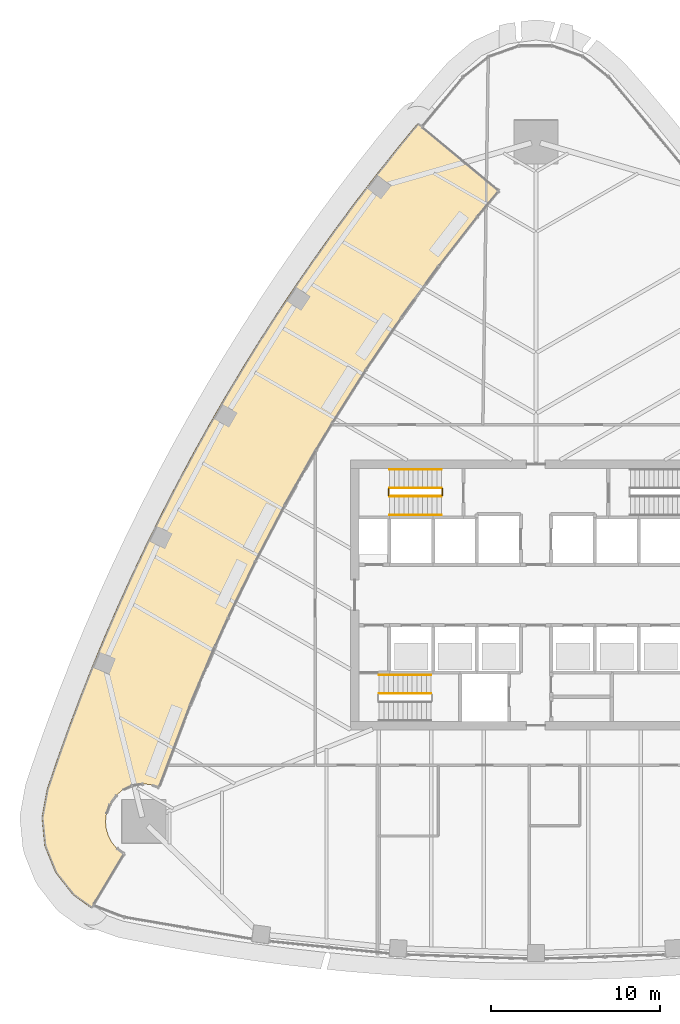
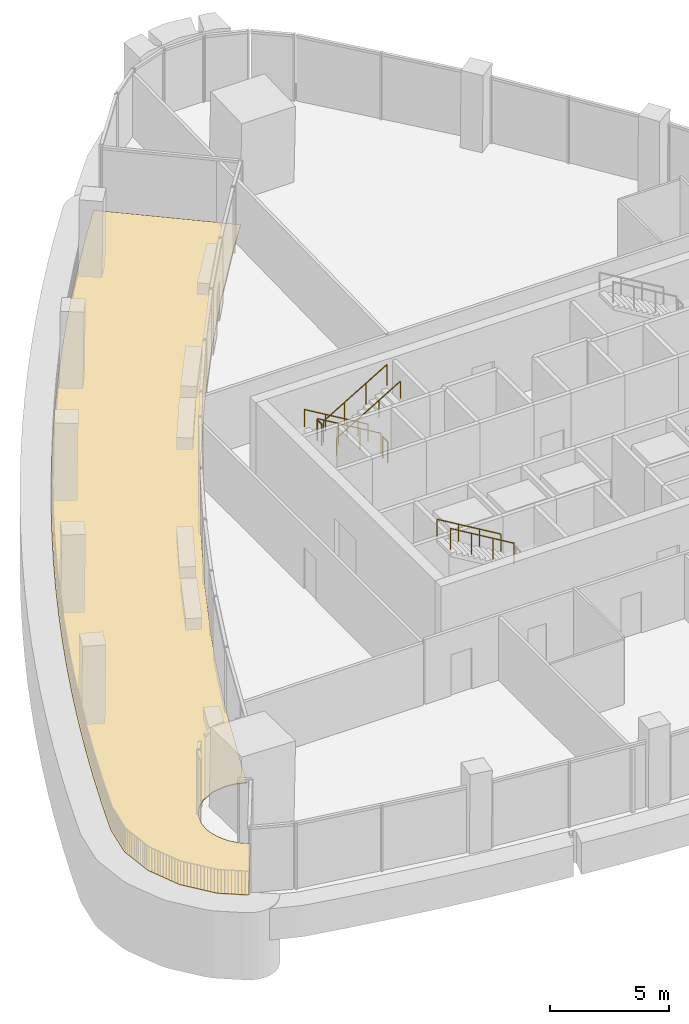
# One storey, part 15 of 18: 8 railings, 1 covering.
"""IFC4 building model written with IfcOpenShell, lengths in metres."""

from ifc_helpers import new_model, si_unit, direction, frame, origin, origin_2d, place, context, subcontext, project, spatial, polyline, circle, outline, extrude, material, layer, layer_set, type_object, element, save


model = new_model("IFC4")

# Units and contexts
model_context = context("Model", 3, precision=1e-05, world=origin(), true_north=direction((0.0, 1.0)))
body_context = subcontext(model_context, "Body", "Model", "MODEL_VIEW")
ifc_project = project(units=[si_unit("LENGTHUNIT", "METRE"), si_unit("AREAUNIT", "SQUARE_METRE"), si_unit("VOLUMEUNIT", "CUBIC_METRE"), si_unit("PLANEANGLEUNIT", "RADIAN"), si_unit("MASSUNIT", "GRAM", prefix="KILO")], contexts=[model_context])

# Site, building, storey
site_placement = place(None, origin())
site = spatial("IfcSite", under=ifc_project, at=site_placement, CompositionType="ELEMENT")
building_placement = place(site_placement, origin())
building = spatial("IfcBuilding", under=site, at=building_placement, Name="Sierra Prisma Convention Tower", CompositionType="ELEMENT")
storey_placement = place(building_placement, frame((0.0, 0.0, 189.800048828125)))
storey = spatial("IfcBuildingStorey", under=building, at=storey_placement, Name="L42", CompositionType="ELEMENT", Elevation=189.800048828125)

# Railings
ifc_material_1 = material(Name="Stainless steel", Category="steel")
railing_type_1 = type_object("IfcRailingType", Name="Exit stair handrail", PredefinedType="HANDRAIL", material=ifc_material_1)
railing_1_placement = place(storey_placement, frame((-6.219970703125, -4.75, 2.16650390625)))
element("IfcRailing", 1, at=railing_1_placement, inside=storey, type_object=railing_type_1, Name="L42 S1 stair handrail 2", PredefinedType="HANDRAIL", context=body_context, shape_type="SweptSolid", body=[
    extrude(circle(Radius=0.02392578125, at=origin_2d()), frame((0.0, 0.0, 0.8759765625), z_axis=(-0.85927862911, 0.0, 0.511507807912), x_axis=(0.0, -1.0, 0.0)), (0.0, 0.0, 1.0), 3.58447265625),
    extrude(circle(Radius=0.02099609375, at=origin_2d()), origin(), (0.0, 0.0, 1.0), 0.851806640625),
    extrude(circle(Radius=0.02099609375, at=origin_2d()), frame((-1.026611328125, 0.0, 0.611083984375)), (0.0, 0.0, 1.0), 0.851806640625),
    extrude(circle(Radius=0.02099609375, at=origin_2d()), frame((-2.053466796875, 0.0, 1.222412109375)), (0.0, 0.0, 1.0), 0.851806640625),
    extrude(circle(Radius=0.02099609375, at=origin_2d()), frame((-3.080078125, 0.0, 1.83349609375)), (0.0, 0.0, 1.0), 0.851806640625),
])
railing_2_placement = place(storey_placement, frame((-5.60009765625, 7.449951171875, 0.16650390625)))
element("IfcRailing", 2, at=railing_2_placement, inside=storey, type_object=railing_type_1, Name="L42 S3 stair handrail 1", PredefinedType="HANDRAIL", context=body_context, shape_type="SweptSolid", body=[
    extrude(circle(Radius=0.02392578125, at=origin_2d()), frame((0.0, 0.0, 0.8759765625), z_axis=(-0.859260807169, 0.0, 0.511537745687), x_axis=(0.0, -1.0, 0.0)), (0.0, 0.0, 1.0), 3.584228515625),
    extrude(circle(Radius=0.02099609375, at=origin_2d()), origin(), (0.0, 0.0, 1.0), 0.851806640625),
    extrude(circle(Radius=0.02099609375, at=origin_2d()), frame((-1.026611328125, 0.0, 0.611083984375)), (0.0, 0.0, 1.0), 0.851806640625),
    extrude(circle(Radius=0.02099609375, at=origin_2d()), frame((-2.05322265625, 0.0, 1.222412109375)), (0.0, 0.0, 1.0), 0.851806640625),
    extrude(circle(Radius=0.02099609375, at=origin_2d()), frame((-3.079833984375, 0.0, 1.83349609375)), (0.0, 0.0, 1.0), 0.851806640625),
])
railing_3_placement = place(storey_placement, frame((-8.679931640625, 4.75, 2.16650390625)))
element("IfcRailing", 3, at=railing_3_placement, inside=storey, type_object=railing_type_1, Name="L42 S3 stair handrail 2", PredefinedType="HANDRAIL", context=body_context, shape_type="SweptSolid", body=[
    extrude(circle(Radius=0.02392578125, at=origin_2d()), frame((0.0, 0.0, 0.8759765625), z_axis=(0.859260807169, 0.0, 0.511537745687), x_axis=(0.0, 1.0, 0.0)), (0.0, 0.0, 1.0), 3.584228515625),
    extrude(circle(Radius=0.02099609375, at=origin_2d()), origin(), (0.0, 0.0, 1.0), 0.851806640625),
    extrude(circle(Radius=0.02099609375, at=origin_2d()), frame((1.026611328125, 0.0, 0.611083984375)), (0.0, 0.0, 1.0), 0.851806640625),
    extrude(circle(Radius=0.02099609375, at=origin_2d()), frame((2.05322265625, 0.0, 1.222412109375)), (0.0, 0.0, 1.0), 0.851806640625),
    extrude(circle(Radius=0.02099609375, at=origin_2d()), frame((3.079833984375, 0.0, 1.83349609375)), (0.0, 0.0, 1.0), 0.851806640625),
])
ifc_material_2 = material(Name="Stainless steel", Category="steel")
railing_type_2 = type_object("IfcRailingType", Name="Stair guard 1100", PredefinedType="GUARDRAIL", material=ifc_material_2)
railing_4_placement = place(storey_placement, frame((-6.219970703125, -5.85009765625, 2.16650390625)))
element("IfcRailing", 4, at=railing_4_placement, inside=storey, type_object=railing_type_2, Name="L42 S1 stair guard 3", PredefinedType="GUARDRAIL", context=body_context, shape_type="SweptSolid", body=[
    extrude(circle(Radius=0.02392578125, at=origin_2d()), frame((0.0, 0.0, 1.076171875), z_axis=(-0.85927862911, 0.0, 0.511507807912), x_axis=(0.0, -1.0, 0.0)), (0.0, 0.0, 1.0), 3.58447265625),
    extrude(circle(Radius=0.02099609375, at=origin_2d()), origin(), (0.0, 0.0, 1.0), 1.052001953125),
    extrude(circle(Radius=0.02099609375, at=origin_2d()), frame((-1.026611328125, 0.0, 0.611083984375)), (0.0, 0.0, 1.0), 1.052001953125),
    extrude(circle(Radius=0.02099609375, at=origin_2d()), frame((-2.053466796875, 0.0, 1.222412109375)), (0.0, 0.0, 1.0), 1.052001953125),
    extrude(circle(Radius=0.02099609375, at=origin_2d()), frame((-3.080078125, 0.0, 1.83349609375)), (0.0, 0.0, 1.0), 1.052001953125),
])
railing_5_placement = place(storey_placement, frame((-5.60009765625, 6.35009765625, 0.16650390625)))
element("IfcRailing", 5, at=railing_5_placement, inside=storey, type_object=railing_type_2, Name="L42 S3 stair guard 1", PredefinedType="GUARDRAIL", context=body_context, shape_type="SweptSolid", body=[
    extrude(circle(Radius=0.02392578125, at=origin_2d()), frame((0.0, 0.0, 1.076171875), z_axis=(-0.859260807169, 0.0, 0.511537745687), x_axis=(0.0, -1.0, 0.0)), (0.0, 0.0, 1.0), 3.584228515625),
    extrude(circle(Radius=0.02099609375, at=origin_2d()), origin(), (0.0, 0.0, 1.0), 1.052001953125),
    extrude(circle(Radius=0.02099609375, at=origin_2d()), frame((-1.026611328125, 0.0, 0.611083984375)), (0.0, 0.0, 1.0), 1.052001953125),
    extrude(circle(Radius=0.02099609375, at=origin_2d()), frame((-2.05322265625, 0.0, 1.222412109375)), (0.0, 0.0, 1.0), 1.052001953125),
    extrude(circle(Radius=0.02099609375, at=origin_2d()), frame((-3.079833984375, 0.0, 1.83349609375)), (0.0, 0.0, 1.0), 1.052001953125),
])
railing_6_placement = place(storey_placement, frame((-8.72998046875, 6.300048828125, 2.0)))
element("IfcRailing", 6, at=railing_6_placement, inside=storey, type_object=railing_type_2, Name="L42 S3 stair guard 2", PredefinedType="GUARDRAIL", context=body_context, shape_type="SweptSolid", body=[
    extrude(circle(Radius=0.02392578125, at=origin_2d()), frame((0.0, 0.0, 1.076171875), z_axis=(0.0, -1.0, 0.0), x_axis=(1.0, 0.0, 0.0)), (0.0, 0.0, 1.0), 0.400146484375),
    extrude(circle(Radius=0.02099609375, at=origin_2d()), origin(), (0.0, 0.0, 1.0), 1.052001953125),
    extrude(circle(Radius=0.02099609375, at=origin_2d()), frame((0.0, -0.400146484375, 0.0)), (0.0, 0.0, 1.0), 1.052001953125),
])
railing_7_placement = place(storey_placement, frame((-8.679931640625, 5.85009765625, 2.16650390625)))
element("IfcRailing", 7, at=railing_7_placement, inside=storey, type_object=railing_type_2, Name="L42 S3 stair guard 3", PredefinedType="GUARDRAIL", context=body_context, shape_type="SweptSolid", body=[
    extrude(circle(Radius=0.02392578125, at=origin_2d()), frame((0.0, 0.0, 1.076171875), z_axis=(0.859260807169, 0.0, 0.511537745687), x_axis=(0.0, 1.0, 0.0)), (0.0, 0.0, 1.0), 3.584228515625),
    extrude(circle(Radius=0.02099609375, at=origin_2d()), origin(), (0.0, 0.0, 1.0), 1.052001953125),
    extrude(circle(Radius=0.02099609375, at=origin_2d()), frame((1.026611328125, 0.0, 0.611083984375)), (0.0, 0.0, 1.0), 1.052001953125),
    extrude(circle(Radius=0.02099609375, at=origin_2d()), frame((2.05322265625, 0.0, 1.222412109375)), (0.0, 0.0, 1.0), 1.052001953125),
    extrude(circle(Radius=0.02099609375, at=origin_2d()), frame((3.079833984375, 0.0, 1.83349609375)), (0.0, 0.0, 1.0), 1.052001953125),
])
railing_8_placement = place(storey_placement, frame((-5.550048828125, 6.300048828125, 0.0)))
element("IfcRailing", 8, at=railing_8_placement, inside=storey, type_object=railing_type_2, Name="L42 S3 stair guard 4", PredefinedType="GUARDRAIL", context=body_context, shape_type="SweptSolid", body=[
    extrude(circle(Radius=0.02392578125, at=origin_2d()), frame((0.0, 0.0, 1.076171875), z_axis=(0.0, -1.0, 0.0), x_axis=(1.0, 0.0, 0.0)), (0.0, 0.0, 1.0), 0.400146484375),
    extrude(circle(Radius=0.02099609375, at=origin_2d()), origin(), (0.0, 0.0, 1.0), 1.052001953125),
    extrude(circle(Radius=0.02099609375, at=origin_2d()), frame((0.0, -0.400146484375, 0.0)), (0.0, 0.0, 1.0), 1.052001953125),
])

# Covering
ifc_material_3 = material(Name="Porcelain stoneware paving", Category="masonry")
ifc_layer = layer(ifc_material_3, 0.0400390625)
ifc_layer_set = layer_set([ifc_layer], Name="Terrace paving")
covering_type = type_object("IfcCoveringType", Name="Terrace paving", PredefinedType="FLOORING", material=ifc_layer_set)
covering_placement = place(storey_placement, origin())
element("IfcCovering", 9, at=covering_placement, inside=storey, type_object=covering_type, Name="Terrace paving L42", PredefinedType="FLOORING", context=body_context, shape_type="SweptSolid", body=[
    extrude(outline(polyline([(-7.024169921875, 27.982421875), (-7.081298828125, 27.914794921875), (-8.332275390625, 26.386962890625), (-9.55810546875, 24.8388671875), (-10.7587890625, 23.27099609375), (-11.93408203125, 21.68408203125), (-13.0830078125, 20.078125), (-14.2060546875, 18.45361328125), (-15.30224609375, 16.811279296875), (-16.371826171875, 15.1513671875), (-17.414306640625, 13.47412109375), (-18.42919921875, 11.7802734375), (-19.41650390625, 10.070068359375), (-20.3759765625, 8.343994140625), (-21.307373046875, 6.602783203125), (-22.210205078125, 4.846435546875), (-23.08447265625, 3.075927734375), (-23.9296875, 1.291259765625), (-24.745849609375, -0.5068359375), (-25.53271484375, -2.318115234375), (-26.290283203125, -4.141845703125), (-27.017822265625, -5.9775390625), (-27.715576171875, -7.824951171875), (-28.383056640625, -9.683349609375), (-29.0205078125, -11.55224609375), (-29.32275390625, -13.2158203125), (-29.1513671875, -14.897705078125), (-28.519775390625, -16.4658203125), (-27.4775390625, -17.797119140625), (-26.39697265625, -18.576904296875), (-24.447021484375, -15.36376953125), (-24.8818359375, -15.034423828125), (-25.16015625, -14.6953125), (-25.366943359375, -14.308349609375), (-25.494384765625, -13.888427734375), (-25.537353515625, -13.45166015625), (-25.494384765625, -13.014892578125), (-25.27294921875, -12.396484375), (-24.8818359375, -11.868896484375), (-24.54248046875, -11.59033203125), (-23.94873046875, -11.3095703125), (-23.298828125, -11.213134765625), (-22.862060546875, -11.256103515625), (-22.365966796875, -11.419677734375), (-20.49853515625, -6.491943359375), (-19.03369140625, -3.0439453125), (-18.259521484375, -1.33837890625), (-16.62841796875, 2.0341796875), (-14.888671875, 5.351806640625), (-13.0419921875, 8.611328125), (-12.0791015625, 10.218017578125), (-10.075927734375, 13.383544921875), (-7.970703125, 16.482421875), (-5.76611328125, 19.51123046875), (-3.464111328125, 22.466796875), (-2.20703125, 23.9794921875), (-7.024169921875, 27.982421875)])), origin(), (0.0, 0.0, 1.0), 0.0400390625),
])

save(model, "model.ifc")
